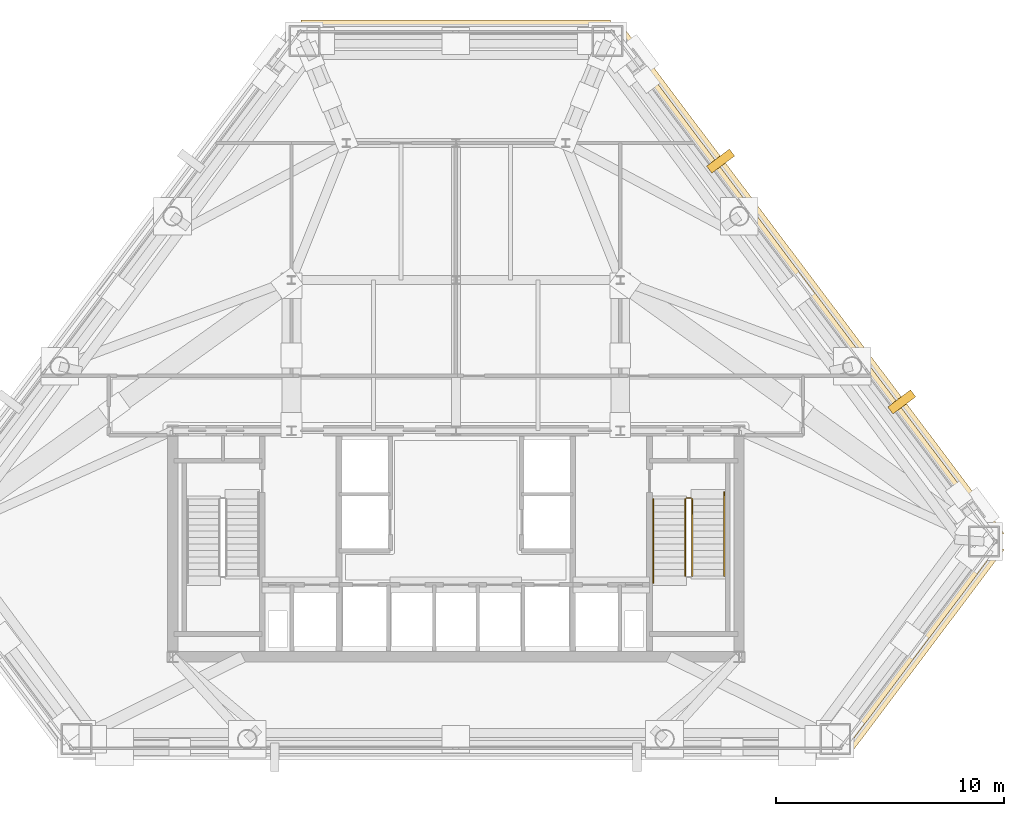
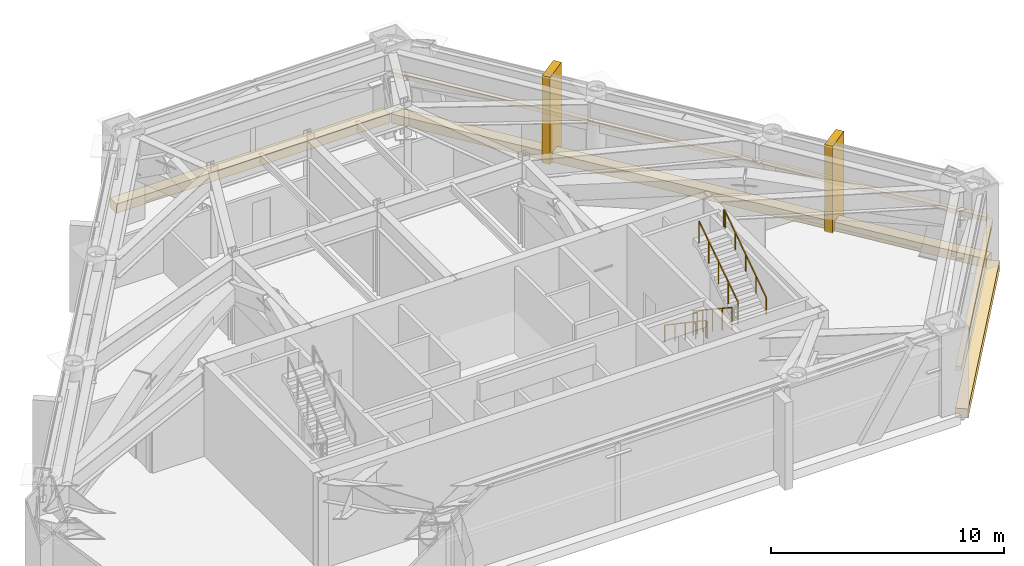
# One storey, part 9 of 9: 7 coverings, 5 railings.
"""IFC4 building model written with IfcOpenShell, lengths in metres."""

import ifcopenshell
import ifcopenshell.guid

model = None  # the IFC model being written
_history = None  # IfcOwnerHistory: only IFC2X3 demands one
_inside = {}  # id of a spatial element -> (the spatial element, [elements in it])
_under = {}  # id of a project, library or spatial element -> (it, [spatial elements below it])
_declared = {}  # id of a project -> (the project, [libraries it declares])
_typed = {}  # id of a type object -> (the type object, [elements of that type])
_made_of = {}  # id of a material, layer set ... -> (it, [elements and type objects made of it])


def new_model(schema):
    """Start an empty IFC model of exactly this schema.

    Asked for "IFC4X3", IfcOpenShell would pick the latest addendum, in which some entities
    have other attributes; the version numbers below select the first issue.
    IFC2X3 requires an IfcOwnerHistory on every rooted entity: one is made here for all.
    """
    global model, _history
    if schema == "IFC4X3":
        model = ifcopenshell.file(schema_version=(4, 3, 0, 0))
    else:
        model = ifcopenshell.file(schema=schema)
    _inside.clear()
    _under.clear()
    _declared.clear()
    _typed.clear()
    _made_of.clear()
    _history = None
    if model.schema == "IFC2X3":
        org = make("IfcOrganization", Name="unknown")
        user = make(
            "IfcPersonAndOrganization",
            ThePerson=make("IfcPerson", FamilyName="unknown"),
            TheOrganization=org,
        )
        app = make(
            "IfcApplication",
            ApplicationDeveloper=org,
            Version="unknown",
            ApplicationFullName="unknown",
            ApplicationIdentifier="unknown",
        )
        _history = make(
            "IfcOwnerHistory",
            OwningUser=user,
            OwningApplication=app,
            ChangeAction="ADDED",
            CreationDate=0,
        )
    return model


def make(cls, **values):
    """One entity of the class cls with the attributes given. An attribute that is None is left unset."""
    return model.create_entity(
        cls, **{name: value for name, value in values.items() if value is not None}
    )


def rooted(cls, **values):
    """An entity with a GlobalId (a new one), such as an element, a storey or a relation."""
    return make(cls, GlobalId=ifcopenshell.guid.new(), OwnerHistory=_history, **values)


def si_unit(unit_type, name, prefix=None):
    """IfcSIUnit, for example si_unit("LENGTHUNIT", "METRE", prefix="MILLI")."""
    return make("IfcSIUnit", UnitType=unit_type, Prefix=prefix, Name=name)


def assignment(units):
    """IfcUnitAssignment: the units of a project."""
    return None if units is None else make("IfcUnitAssignment", Units=units)


def point(xyz):
    """IfcCartesianPoint."""
    return None if xyz is None else make("IfcCartesianPoint", Coordinates=xyz)


def direction(xyz):
    """IfcDirection."""
    return None if xyz is None else make("IfcDirection", DirectionRatios=xyz)


def frame(location, z_axis=None, x_axis=None):
    """IfcAxis2Placement3D, a coordinate frame: its origin and axes. An axis left out is left unset."""
    return make(
        "IfcAxis2Placement3D",
        Location=point(location),
        Axis=direction(z_axis),
        RefDirection=direction(x_axis),
    )


def frame_2d(location, x_axis=None):
    """IfcAxis2Placement2D, a coordinate frame in the plane: its origin and x axis."""
    return make(
        "IfcAxis2Placement2D", Location=point(location), RefDirection=direction(x_axis)
    )


def origin():
    """The frame at (0, 0, 0) with its axes left unset."""
    return frame((0.0, 0.0, 0.0))


def origin_2d():
    """The frame at (0, 0) in the plane with its x axis left unset."""
    return frame_2d((0.0, 0.0))


def place(relative_to, where):
    """IfcLocalPlacement: puts the frame where relative to a parent placement (None: the world)."""
    return make(
        "IfcLocalPlacement", PlacementRelTo=relative_to, RelativePlacement=where
    )


def context(
    kind, dimensions, precision=None, world=None, true_north=None, identifier=None
):
    """IfcGeometricRepresentationContext, for example the 3D "Model" context."""
    return make(
        "IfcGeometricRepresentationContext",
        ContextIdentifier=identifier,
        ContextType=kind,
        CoordinateSpaceDimension=dimensions,
        Precision=precision,
        WorldCoordinateSystem=world,
        TrueNorth=true_north,
    )


def subcontext(parent, identifier, kind, view, scale=None):
    """IfcGeometricRepresentationSubContext, for example "Body" below "Model"."""
    return make(
        "IfcGeometricRepresentationSubContext",
        ContextIdentifier=identifier,
        ContextType=kind,
        ParentContext=parent,
        TargetScale=scale,
        TargetView=view,
    )


def project(units=None, contexts=None):
    """IfcProject with its units and contexts."""
    return rooted(
        "IfcProject",
        Name="project",
        RepresentationContexts=contexts,
        UnitsInContext=assignment(units),
    )


def spatial(cls, under=None, at=None, **own):
    """A site, building, storey or space (cls), placed at a placement, below another one or the project."""
    s = rooted(cls, ObjectPlacement=at, **own)
    if under is not None:
        _under.setdefault(under.id(), (under, []))[1].append(s)
    return s


def profile(cls, at=None, kind="AREA", **sizes):
    """A parametric profile (cls). Its sizes go by their IFC names, for example OverallWidth=200.0."""
    return make(cls, ProfileType=kind, Position=at, **sizes)


def rectangle(**sizes):
    """IfcRectangleProfileDef."""
    return profile("IfcRectangleProfileDef", **sizes)


def extrude(swept, where, along, depth):
    """IfcExtrudedAreaSolid: the profile swept, set in the frame where, extruded along a direction by depth."""
    return make(
        "IfcExtrudedAreaSolid",
        SweptArea=swept,
        Position=where,
        ExtrudedDirection=direction(along),
        Depth=depth,
    )


def shape(context_of_items, identifier, shape_type, items):
    """IfcShapeRepresentation: the items that make up one representation, for example the "Body"."""
    return make(
        "IfcShapeRepresentation",
        ContextOfItems=context_of_items,
        RepresentationIdentifier=identifier,
        RepresentationType=shape_type,
        Items=items,
    )


def material(Name=None, Category=None):
    """IfcMaterial."""
    return make("IfcMaterial", Name=Name, Category=Category)


def layer(
    of_material, thickness, ventilated=None, Name=None, Category=None, Priority=None
):
    """IfcMaterialLayer: one layer of a wall or slab, of a material (None: an air gap)."""
    return make(
        "IfcMaterialLayer",
        Material=of_material,
        LayerThickness=thickness,
        IsVentilated=ventilated,
        Name=Name,
        Category=Category,
        Priority=Priority,
    )


def layer_set(layers, Name=None):
    """IfcMaterialLayerSet."""
    return make("IfcMaterialLayerSet", MaterialLayers=layers, LayerSetName=Name)


def made_of(thing, what):
    """Note that an element or type object is made of a material, layer set ...; save() writes the relation."""
    if what is not None:
        _made_of.setdefault(what.id(), (what, []))[1].append(thing)
    return thing


def type_object(cls, material=None, **own):
    """A type object (cls), such as IfcWallType, which elements share."""
    return made_of(rooted(cls, **own), material)


def element(
    cls,
    number,
    at=None,
    inside=None,
    cuts=None,
    type_object=None,
    material=None,
    context=None,
    identifier="Body",
    shape_type=None,
    held_by="IfcProductDefinitionShape",
    body=None,
    shapes=None,
    **own,
):
    """One element of the class cls, such as IfcWall. Its Tag is "e" and its number.

    at: its placement. inside: the storey or other place that contains it. cuts: it is an
    opening in that element (IfcRelVoidsElement). A single representation is given by context,
    identifier, shape_type and body (its items); several are given by shapes. held_by: the class
    of the entity that holds the representations. save() writes the other relations.
    """
    e = rooted(cls, Tag="e%d" % number, ObjectPlacement=at, **own)
    if body is not None:
        shapes = [shape(context, identifier, shape_type, body)]
    if shapes is not None:
        e.Representation = make(held_by, Representations=shapes)
    if inside is not None:
        _inside.setdefault(inside.id(), (inside, []))[1].append(e)
    if cuts is not None:
        rooted(
            "IfcRelVoidsElement", RelatingBuildingElement=cuts, RelatedOpeningElement=e
        )
    if type_object is not None:
        _typed.setdefault(type_object.id(), (type_object, []))[1].append(e)
    return made_of(e, material)


def aggregate(whole, parts):
    """IfcRelAggregates: a whole, such as a stair, and the parts it consists of."""
    return rooted("IfcRelAggregates", RelatingObject=whole, RelatedObjects=parts)


def save(model, path):
    """Write the relations noted so far, then the file.

    IfcRelAggregates (storeys below a building ...), IfcRelContainedInSpatialStructure (elements
    in a storey), IfcRelDefinesByType, IfcRelAssociatesMaterial and IfcRelDeclares: one each for
    every whole, place, type object, material and project.
    """
    for whole, parts in _under.values():
        aggregate(whole, parts)
    for where, things in _inside.values():
        rooted(
            "IfcRelContainedInSpatialStructure",
            RelatedElements=things,
            RelatingStructure=where,
        )
    for kind, things in _typed.values():
        rooted("IfcRelDefinesByType", RelatedObjects=things, RelatingType=kind)
    for what, things in _made_of.values():
        rooted("IfcRelAssociatesMaterial", RelatedObjects=things, RelatingMaterial=what)
    for by, libraries in _declared.values():
        rooted("IfcRelDeclares", RelatingContext=by, RelatedDefinitions=libraries)
    model.write(path)


model = new_model("IFC4")

# Units and contexts
model_context = context("Model", 3, precision=1e-05, world=origin(), true_north=direction((0.0, 1.0)))
body_context = subcontext(model_context, "Body", "Model", "MODEL_VIEW")
ifc_project = project(units=[si_unit("LENGTHUNIT", "METRE"), si_unit("AREAUNIT", "SQUARE_METRE"), si_unit("VOLUMEUNIT", "CUBIC_METRE"), si_unit("PLANEANGLEUNIT", "RADIAN"), si_unit("MASSUNIT", "GRAM", prefix="KILO")], contexts=[model_context])

# Site, building, storey
site_placement = place(None, origin())
site = spatial("IfcSite", under=ifc_project, at=site_placement, CompositionType="ELEMENT")
building_placement = place(site_placement, origin())
building = spatial("IfcBuilding", under=site, at=building_placement, Name="Talgorran Terracotta Tower", CompositionType="ELEMENT")
storey_placement = place(building_placement, frame((0.0, 0.0, 90.0)))
storey = spatial("IfcBuildingStorey", under=building, at=storey_placement, Name="L23", CompositionType="ELEMENT", Elevation=90.0)

# Coverings
ifc_material_1 = material(Name="Kiln-Fired Terracotta Ochre Ceramic", Category="masonry")
ifc_layer_1 = layer(ifc_material_1, 0.179931640625, Name="COV_BAGUETTE_TERRACOTTA_SCREEN")
ifc_layer_set_1 = layer_set([ifc_layer_1], Name="Kiln-Fired Terracotta Ochre Ceramic")
covering_type_1 = type_object("IfcCoveringType", Name="COV_BAGUETTE_TERRACOTTA_SCREEN", PredefinedType="CLADDING", material=ifc_layer_set_1)
covering_1_placement = place(storey_placement, frame((20.296630859375, -13.63720703125, 2.41015625), z_axis=(0.0, 0.0, 1.0), x_axis=(0.601048110939, 0.79921284295, 0.0)))
element("IfcCovering", 1, at=covering_1_placement, inside=storey, type_object=covering_type_1, Name="L23 Terracotta Baguette Solar Screen Assembly F2", PredefinedType="CLADDING", context=body_context, shape_type="SweptSolid", body=[
    extrude(rectangle(XDim=11.184326171875, YDim=0.260009765625, at=origin_2d()), origin(), (0.0, 0.0, 1.0), 0.219970703125),
])
covering_2_placement = place(storey_placement, frame((15.308349609375, 2.166748046875, 2.41015625), z_axis=(0.0, 0.0, 1.0), x_axis=(-0.601048110939, 0.79921284295, 0.0)))
element("IfcCovering", 2, at=covering_2_placement, inside=storey, type_object=covering_type_1, Name="L23 Terracotta Baguette Solar Screen Assembly F3", PredefinedType="CLADDING", context=body_context, shape_type="SweptSolid", body=[
    extrude(rectangle(XDim=27.783447265625, YDim=0.260009765625, at=origin_2d()), origin(), (0.0, 0.0, 1.0), 0.219970703125),
])
ifc_material_2 = material(Name="Honed Limestone Cladding", Category="masonry")
ifc_layer_2 = layer(ifc_material_2, 0.094970703125, Name="COV_PORTAL_LIME")
ifc_layer_set_2 = layer_set([ifc_layer_2], Name="Honed Limestone Cladding")
covering_type_2 = type_object("IfcCoveringType", Name="COV_PORTAL_LIME", PredefinedType="CLADDING", material=ifc_layer_set_2)
covering_3_placement = place(storey_placement, frame((19.5224609375, -2.937744140625, -0.0498046875), z_axis=(0.0, 0.0, 1.0), x_axis=(-0.601048110939, 0.79921284295, 0.0)))
element("IfcCovering", 3, at=covering_3_placement, inside=storey, type_object=covering_type_2, Name="L23 White Striped Portal Fin F3-1", PredefinedType="CLADDING", context=body_context, shape_type="SweptSolid", body=[
    extrude(rectangle(XDim=0.3798828125, YDim=1.25, at=origin_2d()), origin(), (0.0, 0.0, 1.0), 4.570068359375),
])
ifc_material_3 = material(Name="Kiln-Fired Terracotta Cladding", Category="masonry")
ifc_layer_3 = layer(ifc_material_3, 0.090087890625, Name="COV_PORTAL_TERRA")
ifc_layer_set_3 = layer_set([ifc_layer_3], Name="Kiln-Fired Terracotta Cladding")
covering_type_3 = type_object("IfcCoveringType", Name="COV_PORTAL_TERRA", PredefinedType="CLADDING", material=ifc_layer_set_3)
covering_4_placement = place(storey_placement, frame((20.40869140625, -13.72119140625, -0.0400390625), z_axis=(0.0, 0.0, 1.0), x_axis=(0.601048110939, 0.79921284295, 0.0)))
element("IfcCovering", 4, at=covering_4_placement, inside=storey, type_object=covering_type_3, Name="L23 Striped Postmodern Portal Cladding Band F2", PredefinedType="CLADDING", context=body_context, shape_type="SweptSolid", body=[
    extrude(rectangle(XDim=11.204345703125, YDim=0.56005859375, at=origin_2d()), origin(), (0.0, 0.0, 1.0), 0.47998046875),
])
covering_5_placement = place(storey_placement, frame((15.420166015625, 2.2509765625, -0.0400390625), z_axis=(0.0, 0.0, 1.0), x_axis=(-0.601048110939, 0.79921284295, 0.0)))
element("IfcCovering", 5, at=covering_5_placement, inside=storey, type_object=covering_type_3, Name="L23 Striped Postmodern Portal Cladding Band F3", PredefinedType="CLADDING", context=body_context, shape_type="SweptSolid", body=[
    extrude(rectangle(XDim=27.803466796875, YDim=0.56005859375, at=origin_2d()), origin(), (0.0, 0.0, 1.0), 0.47998046875),
])
covering_6_placement = place(storey_placement, frame((0.0, 13.505126953125, -0.0400390625), z_axis=(0.0, 0.0, 1.0), x_axis=(-1.0, 0.0, 0.0)))
element("IfcCovering", 6, at=covering_6_placement, inside=storey, type_object=covering_type_3, Name="L23 Striped Postmodern Portal Cladding Band F4", PredefinedType="CLADDING", context=body_context, shape_type="SweptSolid", body=[
    extrude(rectangle(XDim=13.553466796875, YDim=0.56005859375, at=origin_2d()), origin(), (0.0, 0.0, 1.0), 0.47998046875),
])
covering_7_placement = place(storey_placement, frame((11.591796875, 7.607666015625, -0.0498046875), z_axis=(0.0, 0.0, 1.0), x_axis=(-0.601048110939, 0.79921284295, 0.0)))
element("IfcCovering", 7, at=covering_7_placement, inside=storey, type_object=covering_type_3, Name="L23 Terracotta Striped Portal Fin F3-2", PredefinedType="CLADDING", context=body_context, shape_type="SweptSolid", body=[
    extrude(rectangle(XDim=0.3798828125, YDim=1.25, at=origin_2d()), origin(), (0.0, 0.0, 1.0), 4.570068359375),
])

# Railings
ifc_material_4 = material(Name="Steel S355 (300PLUS)", Category="steel")
railing_type_1 = type_object("IfcRailingType", Name="RL_HANDRAIL_920", PredefinedType="HANDRAIL", material=ifc_material_4)
railing_1_placement = place(storey_placement, frame((8.64990234375, -7.199951171875, 0.1845703125)))
element("IfcRailing", 8, at=railing_1_placement, inside=storey, type_object=railing_type_1, Name="L23 ST-02 stair handrail 1", PredefinedType="HANDRAIL", context=body_context, shape_type="SweptSolid", body=[
    extrude(rectangle(XDim=0.048095703125, YDim=0.048095703125, at=origin_2d()), frame((0.0, 0.0, 0.89599609375), z_axis=(0.0, -0.827695465973, 0.561177525929), x_axis=(1.0, 0.0, 0.0)), (0.0, 0.0, 1.0), 4.277099609375),
    extrude(rectangle(XDim=0.048095703125, YDim=0.048095703125, at=origin_2d()), frame((0.0, -3.5400390625, 3.2958984375), z_axis=(0.0, -1.0, 0.0), x_axis=(1.0, 0.0, 0.0)), (0.0, 0.0, 1.0), 0.1201171875),
    extrude(rectangle(XDim=0.0419921875, YDim=0.0419921875, at=origin_2d()), origin(), (0.0, 0.0, 1.0), 0.871826171875),
    extrude(rectangle(XDim=0.0419921875, YDim=0.0419921875, at=origin_2d()), frame((0.0, -0.885009765625, 0.60009765625)), (0.0, 0.0, 1.0), 0.871826171875),
    extrude(rectangle(XDim=0.0419921875, YDim=0.0419921875, at=origin_2d()), frame((0.0, -1.77001953125, 1.2001953125)), (0.0, 0.0, 1.0), 0.871826171875),
    extrude(rectangle(XDim=0.0419921875, YDim=0.0419921875, at=origin_2d()), frame((0.0, -2.655029296875, 1.800048828125)), (0.0, 0.0, 1.0), 0.871826171875),
    extrude(rectangle(XDim=0.0419921875, YDim=0.0419921875, at=origin_2d()), frame((0.0, -3.5400390625, 2.400146484375)), (0.0, 0.0, 1.0), 0.871826171875),
    extrude(rectangle(XDim=0.0419921875, YDim=0.0419921875, at=origin_2d()), frame((0.0, -3.66015625, 2.400146484375)), (0.0, 0.0, 1.0), 0.871826171875),
])
railing_2_placement = place(storey_placement, frame((11.75, -10.56005859375, 2.584716796875)))
element("IfcRailing", 9, at=railing_2_placement, inside=storey, type_object=railing_type_1, Name="L23 ST-02 stair handrail 2", PredefinedType="HANDRAIL", context=body_context, shape_type="SweptSolid", body=[
    extrude(rectangle(XDim=0.048095703125, YDim=0.048095703125, at=origin_2d()), frame((0.0, 0.0, 0.89599609375), z_axis=(0.0, 0.827721979786, 0.561138418021), x_axis=(-1.0, 0.0, 0.0)), (0.0, 0.0, 1.0), 4.27685546875),
    extrude(rectangle(XDim=0.048095703125, YDim=0.048095703125, at=origin_2d()), frame((0.0, 3.5400390625, 3.2958984375), z_axis=(0.0, 1.0, 0.0), x_axis=(-1.0, 0.0, 0.0)), (0.0, 0.0, 1.0), 0.1201171875),
    extrude(rectangle(XDim=0.0419921875, YDim=0.0419921875, at=origin_2d()), origin(), (0.0, 0.0, 1.0), 0.871826171875),
    extrude(rectangle(XDim=0.0419921875, YDim=0.0419921875, at=origin_2d()), frame((0.0, 0.885009765625, 0.60009765625)), (0.0, 0.0, 1.0), 0.871826171875),
    extrude(rectangle(XDim=0.0419921875, YDim=0.0419921875, at=origin_2d()), frame((0.0, 1.77001953125, 1.199951171875)), (0.0, 0.0, 1.0), 0.871826171875),
    extrude(rectangle(XDim=0.0419921875, YDim=0.0419921875, at=origin_2d()), frame((0.0, 2.655029296875, 1.7998046875)), (0.0, 0.0, 1.0), 0.871826171875),
    extrude(rectangle(XDim=0.0419921875, YDim=0.0419921875, at=origin_2d()), frame((0.0, 3.5400390625, 2.39990234375)), (0.0, 0.0, 1.0), 0.871826171875),
    extrude(rectangle(XDim=0.0419921875, YDim=0.0419921875, at=origin_2d()), frame((0.0, 3.66015625, 2.39990234375)), (0.0, 0.0, 1.0), 0.871826171875),
])
railing_type_2 = type_object("IfcRailingType", Name="RL_STAIR_GUARD", PredefinedType="GUARDRAIL", material=ifc_material_4)
railing_3_placement = place(storey_placement, frame((10.050048828125, -7.199951171875, 0.1845703125)))
element("IfcRailing", 10, at=railing_3_placement, inside=storey, type_object=railing_type_2, Name="L23 ST-02 stair guard 1", PredefinedType="GUARDRAIL", context=body_context, shape_type="SweptSolid", body=[
    extrude(rectangle(XDim=0.048095703125, YDim=0.048095703125, at=origin_2d()), frame((0.0, 0.0, 1.15576171875), z_axis=(0.0, -0.834876476806, 0.550437342915), x_axis=(1.0, 0.0, 0.0)), (0.0, 0.0, 1.0), 4.024658203125),
    extrude(rectangle(XDim=0.0419921875, YDim=0.0419921875, at=origin_2d()), origin(), (0.0, 0.0, 1.0), 1.1318359375),
    extrude(rectangle(XDim=0.0419921875, YDim=0.0419921875, at=origin_2d()), frame((0.0, -0.840087890625, 0.5537109375)), (0.0, 0.0, 1.0), 1.1318359375),
    extrude(rectangle(XDim=0.0419921875, YDim=0.0419921875, at=origin_2d()), frame((0.0, -1.68017578125, 1.107666015625)), (0.0, 0.0, 1.0), 1.1318359375),
    extrude(rectangle(XDim=0.0419921875, YDim=0.0419921875, at=origin_2d()), frame((0.0, -2.52001953125, 1.66162109375)), (0.0, 0.0, 1.0), 1.1318359375),
    extrude(rectangle(XDim=0.0419921875, YDim=0.0419921875, at=origin_2d()), frame((0.0, -3.360107421875, 2.21533203125)), (0.0, 0.0, 1.0), 1.1318359375),
])
railing_4_placement = place(storey_placement, frame((10.35009765625, -10.56005859375, 2.584716796875)))
element("IfcRailing", 11, at=railing_4_placement, inside=storey, type_object=railing_type_2, Name="L23 ST-02 stair guard 3", PredefinedType="GUARDRAIL", context=body_context, shape_type="SweptSolid", body=[
    extrude(rectangle(XDim=0.048095703125, YDim=0.048095703125, at=origin_2d()), frame((0.0, 0.0, 1.15576171875), z_axis=(0.0, 0.834876476806, 0.550437342915), x_axis=(-1.0, 0.0, 0.0)), (0.0, 0.0, 1.0), 4.024658203125),
    extrude(rectangle(XDim=0.0419921875, YDim=0.0419921875, at=origin_2d()), origin(), (0.0, 0.0, 1.0), 1.1318359375),
    extrude(rectangle(XDim=0.0419921875, YDim=0.0419921875, at=origin_2d()), frame((0.0, 0.840087890625, 0.5537109375)), (0.0, 0.0, 1.0), 1.1318359375),
    extrude(rectangle(XDim=0.0419921875, YDim=0.0419921875, at=origin_2d()), frame((0.0, 1.68017578125, 1.107666015625)), (0.0, 0.0, 1.0), 1.1318359375),
    extrude(rectangle(XDim=0.0419921875, YDim=0.0419921875, at=origin_2d()), frame((0.0, 2.52001953125, 1.66162109375)), (0.0, 0.0, 1.0), 1.1318359375),
    extrude(rectangle(XDim=0.0419921875, YDim=0.0419921875, at=origin_2d()), frame((0.0, 3.360107421875, 2.21533203125)), (0.0, 0.0, 1.0), 1.1318359375),
])
railing_5_placement = place(storey_placement, frame((10.10009765625, -7.14990234375, 0.0)))
element("IfcRailing", 12, at=railing_5_placement, inside=storey, type_object=railing_type_2, Name="L23 ST-02 stair guard 4", PredefinedType="GUARDRAIL", context=body_context, shape_type="SweptSolid", body=[
    extrude(rectangle(XDim=0.048095703125, YDim=0.048095703125, at=origin_2d()), frame((0.0, 0.0, 1.15576171875), z_axis=(1.0, 0.0, 0.0), x_axis=(0.0, 1.0, 0.0)), (0.0, 0.0, 1.0), 0.199951171875),
    extrude(rectangle(XDim=0.048095703125, YDim=0.048095703125, at=origin_2d()), frame((0.0, 0.0, 0.613525390625), z_axis=(1.0, 0.0, 0.0), x_axis=(0.0, 1.0, 0.0)), (0.0, 0.0, 1.0), 0.199951171875),
    extrude(rectangle(XDim=0.0419921875, YDim=0.0419921875, at=origin_2d()), origin(), (0.0, 0.0, 1.0), 1.1318359375),
    extrude(rectangle(XDim=0.0419921875, YDim=0.0419921875, at=origin_2d()), frame((0.199951171875, 0.0, 0.0)), (0.0, 0.0, 1.0), 1.1318359375),
])

save(model, "model.ifc")
